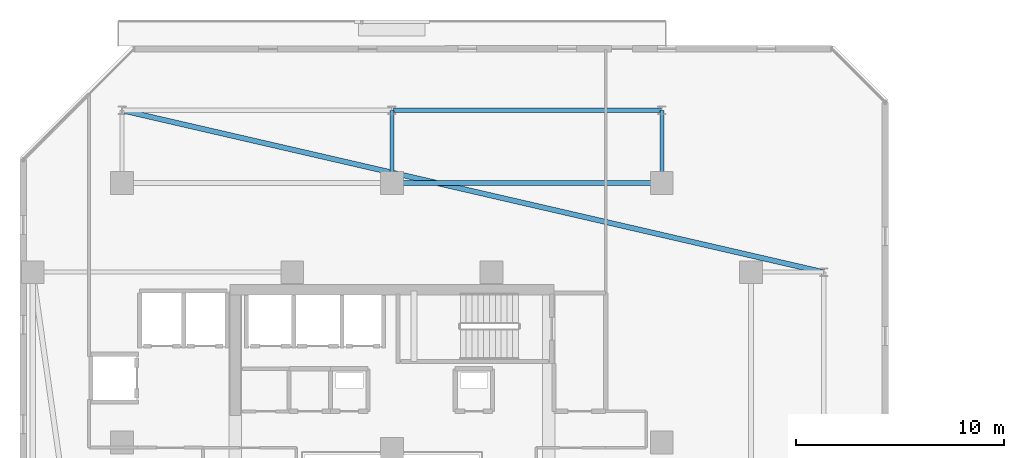
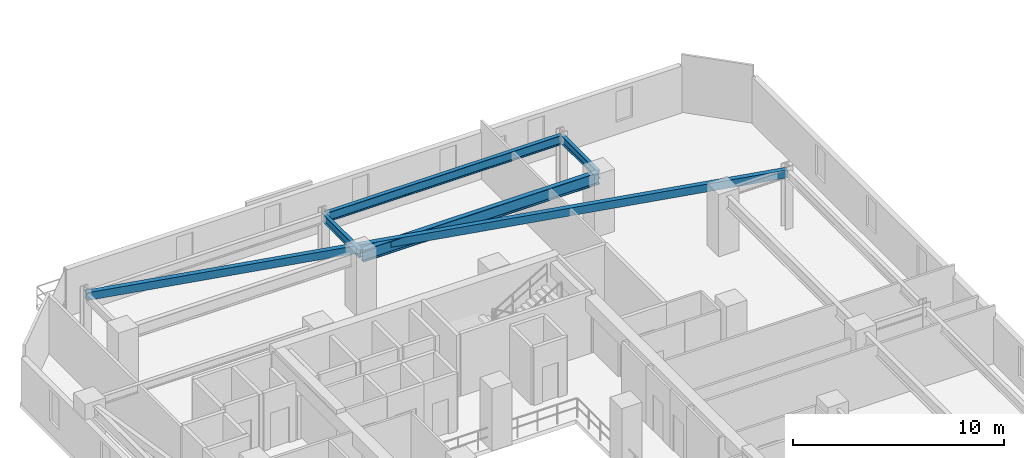
# One storey, part 9 of 33: 5 beams.
"""IFC4 building model written with IfcOpenShell, lengths in metres."""

from ifc_helpers import new_model, si_unit, direction, frame, origin, origin_2d, place, context, subcontext, project, spatial, hollow_rectangle, i_section, extrude, material, material_profile, profile_set, type_object, element, save


model = new_model("IFC4")

# Units and contexts
model_context = context("Model", 3, precision=1e-05, world=origin(), true_north=direction((0.0, 1.0)))
body_context = subcontext(model_context, "Body", "Model", "MODEL_VIEW")
ifc_project = project(units=[si_unit("LENGTHUNIT", "METRE"), si_unit("AREAUNIT", "SQUARE_METRE"), si_unit("VOLUMEUNIT", "CUBIC_METRE"), si_unit("PLANEANGLEUNIT", "RADIAN"), si_unit("MASSUNIT", "GRAM", prefix="KILO")], contexts=[model_context])

# Site, building, storey
site_placement = place(None, origin())
site = spatial("IfcSite", under=ifc_project, at=site_placement, CompositionType="ELEMENT")
building_placement = place(site_placement, origin())
building = spatial("IfcBuilding", under=site, at=building_placement, Name="Thornwick Lancets Civic Towers", CompositionType="ELEMENT")
storey_placement = place(building_placement, frame((0.0, 0.0, 185.699951171875)))
storey = spatial("IfcBuildingStorey", under=building, at=storey_placement, Name="L49", CompositionType="ELEMENT", Elevation=185.699951171875)

# Beams
ifc_material = material(Name="Steel S355JR", Category="steel")
ifc_material_profile_1 = material_profile(ifc_material, i_section(OverallWidth=0.210693359375, OverallDepth=0.53955078125, WebThickness=0.01171875, FlangeThickness=0.018798828125, FilletRadius=0.0126953125, at=origin_2d()), Name="UKB 533x210x109")
ifc_profile_set_1 = profile_set([ifc_material_profile_1], Name="Steel S355JR")
beam_type_1 = type_object("IfcBeamType", Name="BM_EDGE_533_109", PredefinedType="SPANDREL", material=ifc_profile_set_1)
beam_1_placement = place(storey_placement, frame((25.580078125, 47.800048828125, 3.09033203125), z_axis=(1.0, 0.0, 0.0), x_axis=(0.0, 1.0, 0.0)))
element("IfcBeam", 1, at=beam_1_placement, inside=storey, type_object=beam_type_1, Name="BM-EDGE-L49-A-S2-2", PredefinedType="SPANDREL", context=body_context, shape_type="SweptSolid", body=[
    extrude(i_section(OverallWidth=0.210693359375, OverallDepth=0.53955078125, WebThickness=0.01171875, FlangeThickness=0.018798828125, FilletRadius=0.0126953125, at=origin_2d()), origin(), (0.0, 0.0, 1.0), 12.919921875),
])
ifc_material_profile_2 = material_profile(ifc_material, i_section(OverallWidth=0.255859375, OverallDepth=0.69287109375, WebThickness=0.014404296875, FlangeThickness=0.023681640625, FilletRadius=0.01513671875, at=origin_2d()), Name="UKB 686x254x170")
ifc_profile_set_2 = profile_set([ifc_material_profile_2], Name="Steel S355JR")
beam_type_2 = type_object("IfcBeamType", Name="BM_GIRD_686_170", PredefinedType="BEAM", material=ifc_profile_set_2)
beam_2_placement = place(storey_placement, frame((25.580078125, 44.300048828125, 3.013427734375), z_axis=(1.0, 0.0, 0.0), x_axis=(0.0, 1.0, 0.0)))
element("IfcBeam", 2, at=beam_2_placement, inside=storey, type_object=beam_type_2, Name="BM-SPINE-L49-A-7-8", PredefinedType="BEAM", context=body_context, shape_type="SweptSolid", body=[
    extrude(i_section(OverallWidth=0.255859375, OverallDepth=0.69287109375, WebThickness=0.014404296875, FlangeThickness=0.023681640625, FilletRadius=0.01513671875, at=origin_2d()), origin(), (0.0, 0.0, 1.0), 12.919921875),
])
ifc_material_profile_3 = material_profile(ifc_material, i_section(OverallWidth=0.19287109375, OverallDepth=0.46728515625, WebThickness=0.011474609375, FlangeThickness=0.01953125, FilletRadius=0.01025390625, at=origin_2d()), Name="UKB 457x191x98")
ifc_profile_set_3 = profile_set([ifc_material_profile_3], Name="Steel S355JR")
beam_type_3 = type_object("IfcBeamType", Name="BM_JOIST_457_98", PredefinedType="JOIST", material=ifc_profile_set_3)
for number, where, z_axis, x_axis, name in (
    (3, (25.5, 44.300048828125, 3.12646484375), (0.0, 1.0, 0.0), (-1.0, 0.0, 0.0), "BM-RAD-L49-A08"),
    (4, (38.5, 44.300048828125, 3.12646484375), (0.0, 1.0, 0.0), (-1.0, 0.0, 0.0), "BM-RAD-L49-A09"),
):
    element("IfcBeam", number, at=place(storey_placement, frame(where, z_axis=z_axis, x_axis=x_axis)), inside=storey, type_object=beam_type_3, Name=name, PredefinedType="JOIST", context=body_context, shape_type="SweptSolid", body=[
        extrude(i_section(OverallWidth=0.19287109375, OverallDepth=0.46728515625, WebThickness=0.011474609375, FlangeThickness=0.01953125, FilletRadius=0.01025390625, at=origin_2d()), origin(), (0.0, 0.0, 1.0), 3.5),
    ])
ifc_material_profile_4 = material_profile(ifc_material, hollow_rectangle(XDim=0.25, YDim=0.449951171875, WallThickness=0.01611328125, at=origin_2d()), Name="RHS 450x250x16")
ifc_profile_set_4 = profile_set([ifc_material_profile_4], Name="Steel S355JR")
beam_type_4 = type_object("IfcBeamType", Name="BM_RING_RHS450", PredefinedType="BEAM", material=ifc_profile_set_4)
beam_3_placement = place(storey_placement, frame((46.300048828125, 40.0, 3.135009765625), z_axis=(-0.974390958454, 0.224860534737, 0.0), x_axis=(-0.224860534737, -0.974390958454, 0.0)))
element("IfcBeam", 5, at=beam_3_placement, inside=storey, type_object=beam_type_4, Name="BM-CHAMF-L49-A-C1", PredefinedType="BEAM", context=body_context, shape_type="SweptSolid", body=[
    extrude(hollow_rectangle(XDim=0.25, YDim=0.449951171875, WallThickness=0.01611328125, at=origin_2d()), origin(), (0.0, 0.0, 1.0), 34.6884765625),
])

save(model, "model.ifc")
